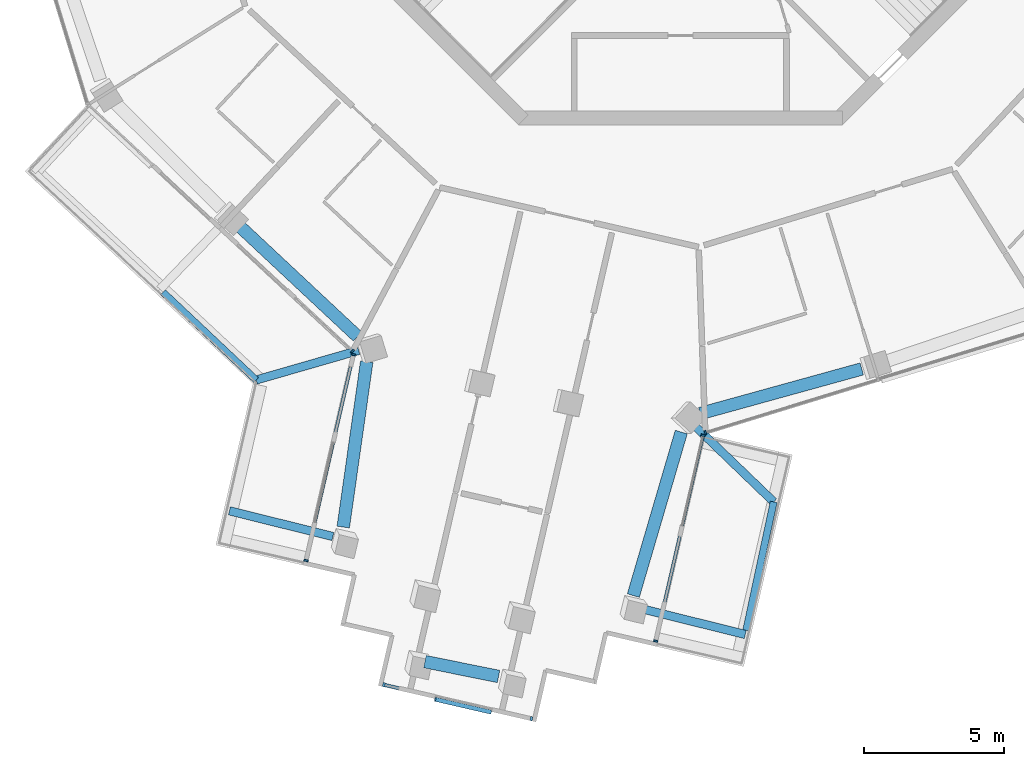
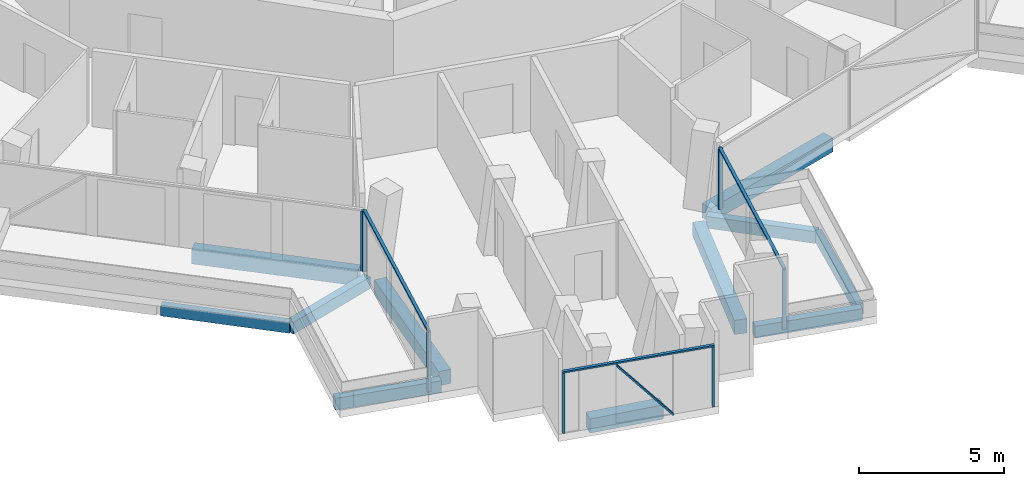
# One storey, part 2 of 21: 12 members, 11 beams, 5 elements without a shape of their own.
"""IFC4 building model written with IfcOpenShell, lengths in metres."""

from ifc_helpers import new_model, si_unit, direction, frame, origin, origin_2d, place, context, subcontext, project, spatial, rectangle, extrude, material, layer, layer_set, material_profile, profile_set, type_object, element, aggregate, save


model = new_model("IFC4")

# Units and contexts
model_context = context("Model", 3, precision=1e-05, world=origin(), true_north=direction((0.0, 1.0)))
body_context = subcontext(model_context, "Body", "Model", "MODEL_VIEW")
ifc_project = project(units=[si_unit("LENGTHUNIT", "METRE"), si_unit("AREAUNIT", "SQUARE_METRE"), si_unit("VOLUMEUNIT", "CUBIC_METRE"), si_unit("PLANEANGLEUNIT", "RADIAN"), si_unit("MASSUNIT", "GRAM", prefix="KILO")], contexts=[model_context])

# Site, building, storey
site_placement = place(None, origin())
site = spatial("IfcSite", under=ifc_project, at=site_placement, CompositionType="ELEMENT")
building_placement = place(site_placement, origin())
building = spatial("IfcBuilding", under=site, at=building_placement, Name="Verdalira Terraces Hotel", CompositionType="ELEMENT")
storey_placement = place(building_placement, frame((0.0, 0.0, 227.0)))
storey = spatial("IfcBuildingStorey", under=building, at=storey_placement, Name="L55", CompositionType="ELEMENT", Elevation=227.0)

# Beams
ifc_material_1 = material(Name="Concrete C40", Category="concrete")
ifc_material_profile_1 = material_profile(ifc_material_1, rectangle(XDim=0.300049, YDim=0.5, at=origin_2d()), Name="RC 300X500")
ifc_profile_set_1 = profile_set([ifc_material_profile_1], Name="Concrete C40")
beam_type_1 = type_object("IfcBeamType", Name="Balcony cantilever beam RC 300X500 C40", PredefinedType="BEAM", material=ifc_profile_set_1)
beam_1_placement = place(storey_placement, frame((-12.444336, -28.741455, -0.560059), z_axis=(-0.9706219, 0.240609907, 0.0), x_axis=(-0.240609907, -0.9706219, 0.0)))
element("IfcBeam", 1, at=beam_1_placement, inside=storey, type_object=beam_type_1, Name="Balcony cantilever beam R13-1", PredefinedType="BEAM", context=body_context, shape_type="SweptSolid", body=[
    extrude(rectangle(XDim=0.300049, YDim=0.5, at=origin_2d()), origin(), (0.0, 0.0, 1.0), 3.819336),
])
beam_2_placement = place(storey_placement, frame((-11.519531, -22.078613, -0.560059), z_axis=(-0.960870666, -0.276997405, 0.0), x_axis=(0.276997405, -0.960870666, 0.0)))
element("IfcBeam", 2, at=beam_2_placement, inside=storey, type_object=beam_type_1, Name="Balcony cantilever beam R13-4", PredefinedType="BEAM", context=body_context, shape_type="SweptSolid", body=[
    extrude(rectangle(XDim=0.300049, YDim=0.5, at=origin_2d()), origin(), (0.0, 0.0, 1.0), 3.823486),
])
beam_3_placement = place(storey_placement, frame((-1.422363, -31.321777, -0.560059), z_axis=(0.970627651, -0.240586704, 0.0), x_axis=(0.240586704, 0.970627651, 0.0)))
element("IfcBeam", 3, at=beam_3_placement, inside=storey, type_object=beam_type_1, Name="Balcony cantilever beam R24-1", PredefinedType="BEAM", context=body_context, shape_type="SweptSolid", body=[
    extrude(rectangle(XDim=0.300049, YDim=0.5, at=origin_2d()), origin(), (0.0, 0.0, 1.0), 3.862305),
])
beam_4_placement = place(storey_placement, frame((0.497559, -24.761963, -0.560059), z_axis=(0.720331652, -0.693629809, 0.0), x_axis=(0.693629809, 0.720331652, 0.0)))
element("IfcBeam", 4, at=beam_4_placement, inside=storey, type_object=beam_type_1, Name="Balcony cantilever beam R24-2", PredefinedType="BEAM", context=body_context, shape_type="SweptSolid", body=[
    extrude(rectangle(XDim=0.300049, YDim=0.5, at=origin_2d()), origin(), (0.0, 0.0, 1.0), 3.949951),
])
ifc_material_2 = material(Name="Concrete C40", Category="concrete")
ifc_material_profile_2 = material_profile(ifc_material_2, rectangle(XDim=0.25, YDim=0.449951, at=origin_2d()), Name="RC 250X450")
ifc_profile_set_2 = profile_set([ifc_material_profile_2], Name="Concrete C40")
beam_type_2 = type_object("IfcBeamType", Name="Balcony edge beam RC 250X450 C40", PredefinedType="BEAM", material=ifc_profile_set_2)
beam_5_placement = place(storey_placement, frame((-18.529297, -19.993408, -0.534912), z_axis=(0.727701043, -0.685894447, 0.0), x_axis=(0.685894447, 0.727701043, 0.0)))
element("IfcBeam", 5, at=beam_5_placement, inside=storey, type_object=beam_type_2, Name="Balcony edge beam R13-2", PredefinedType="BEAM", context=body_context, shape_type="SweptSolid", body=[
    extrude(rectangle(XDim=0.25, YDim=0.449951, at=origin_2d()), origin(), (0.0, 0.0, 1.0), 4.584229),
])
beam_6_placement = place(storey_placement, frame((2.35791, -32.104004, -0.534912), z_axis=(0.209256304, 0.977860828, 0.0), x_axis=(-0.977860828, 0.209256304, 0.0)))
element("IfcBeam", 6, at=beam_6_placement, inside=storey, type_object=beam_type_2, Name="Balcony edge beam R24-1", PredefinedType="BEAM", context=body_context, shape_type="SweptSolid", body=[
    extrude(rectangle(XDim=0.25, YDim=0.449951, at=origin_2d()), origin(), (0.0, 0.0, 1.0), 4.706543),
])

# Curtain wall, member
ifc_material_3 = material(Name="Clear glass", Category="glass")
ifc_layer_1 = layer(ifc_material_3, 0.14990234375)
ifc_layer_set_1 = layer_set([ifc_layer_1], Name="CW1 curtain wall")
curtain_wall_type_1 = type_object("IfcCurtainWallType", Name="CW1 curtain wall", PredefinedType="NOTDEFINED", material=ifc_layer_set_1)
curtain_wall_1_placement = place(storey_placement, origin())
curtain_wall_1 = element("IfcCurtainWall", 7, at=curtain_wall_1_placement, inside=storey, type_object=curtain_wall_type_1, Name="CW1 curtain wall L55 edge 13", PredefinedType="NOTDEFINED")
ifc_material_4 = material(Name="Terracotta frame", Category="masonry")
ifc_material_profile_3 = material_profile(ifc_material_4, rectangle(XDim=0.060059, YDim=0.149902, at=origin_2d()), Name="MU 60x150")
ifc_profile_set_3 = profile_set([ifc_material_profile_3], Name="Terracotta frame")
member_type_1 = type_object("IfcMemberType", Name="CW1 mullion 60x150", PredefinedType="MULLION", material=ifc_profile_set_3)
member_1_placement = place(storey_placement, frame((-11.745605, -22.107422, 0.0), z_axis=(0.0, 0.0, 1.0), x_axis=(0.731829648, -0.681487613, 0.0)))
member_1 = element("IfcMember", 8, at=member_1_placement, type_object=member_type_1, Name="CW1 mullion", PredefinedType="MULLION", context=body_context, shape_type="SweptSolid", body=[
    extrude(rectangle(XDim=0.060059, YDim=0.149902, at=origin_2d()), origin(), (0.0, 0.0, 1.0), 2.524902),
])
aggregate(curtain_wall_1, [member_1])

curtain_wall_2_placement = place(storey_placement, origin())
curtain_wall_2 = element("IfcCurtainWall", 9, at=curtain_wall_2_placement, inside=storey, type_object=curtain_wall_type_1, Name="CW1 curtain wall L55 edge 25", PredefinedType="NOTDEFINED")
member_2_placement = place(storey_placement, frame((0.900635, -25.017578, 0.0), z_axis=(0.0, 0.0, 1.0), x_axis=(0.956100409, 0.29303926, 0.0)))
member_2 = element("IfcMember", 10, at=member_2_placement, type_object=member_type_1, Name="CW1 mullion", PredefinedType="MULLION", context=body_context, shape_type="SweptSolid", body=[
    extrude(rectangle(XDim=0.060059, YDim=0.149902, at=origin_2d()), origin(), (0.0, 0.0, 1.0), 2.524902),
])
aggregate(curtain_wall_2, [member_2])

# Curtain wall, members
ifc_material_5 = material(Name="Clear glass", Category="glass")
ifc_layer_2 = layer(ifc_material_5, 0.14990234375)
ifc_layer_set_2 = layer_set([ifc_layer_2], Name="CW2 curtain wall")
curtain_wall_type_2 = type_object("IfcCurtainWallType", Name="CW2 curtain wall", PredefinedType="NOTDEFINED", material=ifc_layer_set_2)
curtain_wall_3_placement = place(storey_placement, origin())
curtain_wall_3 = element("IfcCurtainWall", 11, at=curtain_wall_3_placement, inside=storey, type_object=curtain_wall_type_2, Name="CW2 curtain wall L55 edge 14", PredefinedType="NOTDEFINED")
ifc_material_6 = material(Name="Terracotta frame", Category="masonry")
ifc_material_profile_4 = material_profile(ifc_material_6, rectangle(XDim=0.070068, YDim=0.149902, at=origin_2d()), Name="MU 70x150")
ifc_profile_set_4 = profile_set([ifc_material_profile_4], Name="Terracotta frame")
member_type_2 = type_object("IfcMemberType", Name="CW2 mullion 70x150", PredefinedType="MULLION", material=ifc_profile_set_4)
member_3_placement = place(storey_placement, frame((-11.709717, -22.233643, 0.0), z_axis=(0.0, 0.0, 1.0), x_axis=(-0.224270761, -0.974526873, 0.0)))
member_3 = element("IfcMember", 12, at=member_3_placement, type_object=member_type_2, Name="CW2 mullion", PredefinedType="MULLION", context=body_context, shape_type="SweptSolid", body=[
    extrude(rectangle(XDim=0.070068, YDim=0.149902, at=origin_2d()), origin(), (0.0, 0.0, 1.0), 2.524902),
])
member_4_placement = place(storey_placement, frame((-13.406006, -29.604492, 0.0), z_axis=(0.0, 0.0, 1.0), x_axis=(-0.224270761, -0.974526873, 0.0)))
member_4 = element("IfcMember", 13, at=member_4_placement, type_object=member_type_2, Name="CW2 mullion", PredefinedType="MULLION", context=body_context, shape_type="SweptSolid", body=[
    extrude(rectangle(XDim=0.070068, YDim=0.149902, at=origin_2d()), origin(), (0.0, 0.0, 1.0), 2.524902),
])

curtain_wall_4_placement = place(storey_placement, origin())
curtain_wall_4 = element("IfcCurtainWall", 14, at=curtain_wall_4_placement, inside=storey, type_object=curtain_wall_type_2, Name="CW2 curtain wall L55 edge 24", PredefinedType="NOTDEFINED")
member_5_placement = place(storey_placement, frame((-0.883301, -32.486328, 0.0), z_axis=(0.0, 0.0, 1.0), x_axis=(0.224270761, 0.974526873, 0.0)))
member_5 = element("IfcMember", 15, at=member_5_placement, type_object=member_type_2, Name="CW2 mullion", PredefinedType="MULLION", context=body_context, shape_type="SweptSolid", body=[
    extrude(rectangle(XDim=0.070068, YDim=0.149902, at=origin_2d()), origin(), (0.0, 0.0, 1.0), 2.524902),
])
member_6_placement = place(storey_placement, frame((0.812988, -25.115479, 0.0), z_axis=(0.0, 0.0, 1.0), x_axis=(0.224270761, 0.974526873, 0.0)))
member_6 = element("IfcMember", 16, at=member_6_placement, type_object=member_type_2, Name="CW2 mullion", PredefinedType="MULLION", context=body_context, shape_type="SweptSolid", body=[
    extrude(rectangle(XDim=0.070068, YDim=0.149902, at=origin_2d()), origin(), (0.0, 0.0, 1.0), 2.524902),
])

# Member
ifc_material_7 = material(Name="Terracotta frame", Category="masonry")
ifc_material_profile_5 = material_profile(ifc_material_7, rectangle(XDim=0.11499, YDim=0.064941, at=origin_2d()), Name="TR 65x115")
ifc_profile_set_5 = profile_set([ifc_material_profile_5], Name="Terracotta frame")
member_type_3 = type_object("IfcMemberType", Name="CW2 transom 65x115", PredefinedType="USERDEFINED", material=ifc_profile_set_5)
member_7_placement = place(storey_placement, frame((-11.70166, -22.199463, 2.557617), z_axis=(-0.224296533, -0.974520941, 0.0), x_axis=(0.974520941, -0.224296533, 0.0)))
member_7 = element("IfcMember", 17, at=member_7_placement, type_object=member_type_3, Name="CW2 transom", ObjectType="TRANSOM", PredefinedType="USERDEFINED", context=body_context, shape_type="SweptSolid", body=[
    extrude(rectangle(XDim=0.11499, YDim=0.064941, at=origin_2d()), origin(), (0.0, 0.0, 1.0), 7.633545),
])

aggregate(curtain_wall_3, [member_3, member_4, member_7])

member_8_placement = place(storey_placement, frame((-0.891113, -32.520508, 2.557617), z_axis=(0.224259169, 0.97452954, 0.0), x_axis=(-0.97452954, 0.224259169, 0.0)))
member_8 = element("IfcMember", 18, at=member_8_placement, type_object=member_type_3, Name="CW2 transom", ObjectType="TRANSOM", PredefinedType="USERDEFINED", context=body_context, shape_type="SweptSolid", body=[
    extrude(rectangle(XDim=0.11499, YDim=0.064941, at=origin_2d()), origin(), (0.0, 0.0, 1.0), 7.633545),
])

aggregate(curtain_wall_4, [member_5, member_6, member_8])

# Curtain wall, members
ifc_material_8 = material(Name="Clear glass", Category="glass")
ifc_layer_3 = layer(ifc_material_8, 0.14990234375)
ifc_layer_set_3 = layer_set([ifc_layer_3], Name="CW3 curtain wall")
curtain_wall_type_3 = type_object("IfcCurtainWallType", Name="CW3 curtain wall", PredefinedType="NOTDEFINED", material=ifc_layer_set_3)
curtain_wall_5_placement = place(storey_placement, origin())
curtain_wall_5 = element("IfcCurtainWall", 19, at=curtain_wall_5_placement, inside=storey, type_object=curtain_wall_type_3, Name="CW3 curtain wall L55 edge 19", PredefinedType="NOTDEFINED")
ifc_material_9 = material(Name="Terracotta frame", Category="masonry")
ifc_material_profile_6 = material_profile(ifc_material_9, rectangle(XDim=0.080078, YDim=0.149902, at=origin_2d()), Name="MU 80x150")
ifc_profile_set_6 = profile_set([ifc_material_profile_6], Name="Terracotta frame")
member_type_4 = type_object("IfcMemberType", Name="CW3 mullion 80x150", PredefinedType="MULLION", material=ifc_profile_set_6)
member_9_placement = place(storey_placement, frame((-10.617676, -34.052979, 0.0), z_axis=(0.0, 0.0, 1.0), x_axis=(0.974526873, -0.224270761, 0.0)))
member_9 = element("IfcMember", 20, at=member_9_placement, type_object=member_type_4, Name="CW3 mullion", PredefinedType="MULLION", context=body_context, shape_type="SweptSolid", body=[
    extrude(rectangle(XDim=0.080078, YDim=0.149902, at=origin_2d()), origin(), (0.0, 0.0, 1.0), 2.524902),
])
member_10_placement = place(storey_placement, frame((-5.335693, -35.268555, 0.0), z_axis=(0.0, 0.0, 1.0), x_axis=(0.974526873, -0.224270761, 0.0)))
member_10 = element("IfcMember", 21, at=member_10_placement, type_object=member_type_4, Name="CW3 mullion", PredefinedType="MULLION", context=body_context, shape_type="SweptSolid", body=[
    extrude(rectangle(XDim=0.080078, YDim=0.149902, at=origin_2d()), origin(), (0.0, 0.0, 1.0), 2.524902),
])
ifc_material_10 = material(Name="Terracotta frame", Category="masonry")
ifc_material_profile_7 = material_profile(ifc_material_10, rectangle(XDim=0.120117, YDim=0.064941, at=origin_2d()), Name="TR 65x120")
ifc_profile_set_7 = profile_set([ifc_material_profile_7], Name="Terracotta frame")
member_type_5 = type_object("IfcMemberType", Name="CW3 transom 65x120", PredefinedType="USERDEFINED", material=ifc_profile_set_7)
member_11_placement = place(storey_placement, frame((-10.656494, -34.044189, 2.557617), z_axis=(0.974530163, -0.224256463, 0.0), x_axis=(0.224256463, 0.974530163, 0.0)))
member_11 = element("IfcMember", 22, at=member_11_placement, type_object=member_type_5, Name="CW3 transom", ObjectType="TRANSOM", PredefinedType="USERDEFINED", context=body_context, shape_type="SweptSolid", body=[
    extrude(rectangle(XDim=0.120117, YDim=0.064941, at=origin_2d()), origin(), (0.0, 0.0, 1.0), 5.5),
])
ifc_material_11 = material(Name="Terracotta frame", Category="masonry")
ifc_material_profile_8 = material_profile(ifc_material_11, rectangle(XDim=0.149902, YDim=0.060059, at=origin_2d()), Name="GB 60x150")
ifc_profile_set_8 = profile_set([ifc_material_profile_8], Name="Terracotta frame")
member_type_6 = type_object("IfcMemberType", Name="Diagonal glazing bar 60x150", PredefinedType="USERDEFINED", material=ifc_profile_set_8)
member_12_placement = place(storey_placement, frame((-8.777832, -34.571777, 2.495361), z_axis=(0.620521251, -0.142838984, -0.771070945), x_axis=(0.22432533, 0.974514313, 0.0)))
member_12 = element("IfcMember", 23, at=member_12_placement, type_object=member_type_6, Name="Diagonal glazing bar", ObjectType="GLAZING BAR", PredefinedType="USERDEFINED", context=body_context, shape_type="SweptSolid", body=[
    extrude(rectangle(XDim=0.149902, YDim=0.060059, at=origin_2d()), origin(), (0.0, 0.0, 1.0), 3.197998),
])
aggregate(curtain_wall_5, [member_9, member_10, member_11, member_12])

# Beams
ifc_material_12 = material(Name="Concrete C40", Category="concrete")
ifc_material_profile_9 = material_profile(ifc_material_12, rectangle(XDim=0.449951, YDim=0.600098, at=origin_2d()), Name="RC 450X600")
ifc_profile_set_9 = profile_set([ifc_material_profile_9], Name="Concrete C40")
beam_type_3 = type_object("IfcBeamType", Name="Spandrel beam RC 450X600 C40", PredefinedType="SPANDREL", material=ifc_profile_set_9)
beam_7_placement = place(storey_placement, frame((-15.861572, -17.557861, -0.610107), z_axis=(0.730451439, -0.682964637, 0.0), x_axis=(0.682964637, 0.730451439, 0.0)))
element("IfcBeam", 24, at=beam_7_placement, inside=storey, type_object=beam_type_3, Name="Spandrel beam B07", PredefinedType="SPANDREL", context=body_context, shape_type="SweptSolid", body=[
    extrude(rectangle(XDim=0.449951, YDim=0.600098, at=origin_2d()), origin(), (0.0, 0.0, 1.0), 5.891846),
])
beam_8_placement = place(storey_placement, frame((-11.231445, -22.47998, -0.610107), z_axis=(-0.140541742, -0.990074754, 0.0), x_axis=(0.990074754, -0.140541742, 0.0)))
element("IfcBeam", 25, at=beam_8_placement, inside=storey, type_object=beam_type_3, Name="Spandrel beam B08", PredefinedType="SPANDREL", context=body_context, shape_type="SweptSolid", body=[
    extrude(rectangle(XDim=0.449951, YDim=0.600098, at=origin_2d()), origin(), (0.0, 0.0, 1.0), 5.984375),
])
beam_9_placement = place(storey_placement, frame((-9.148682, -33.223145, -0.610107), z_axis=(0.980268921, -0.197668516, 0.0), x_axis=(0.197668516, 0.980268921, 0.0)))
element("IfcBeam", 26, at=beam_9_placement, inside=storey, type_object=beam_type_3, Name="Spandrel beam B09", PredefinedType="SPANDREL", context=body_context, shape_type="SweptSolid", body=[
    extrude(rectangle(XDim=0.449951, YDim=0.600098, at=origin_2d()), origin(), (0.0, 0.0, 1.0), 2.691406),
])
beam_10_placement = place(storey_placement, frame((-1.684082, -30.857422, -0.610107), z_axis=(0.281399393, 0.959590736, 0.0), x_axis=(-0.959590736, 0.281399393, 0.0)))
element("IfcBeam", 27, at=beam_10_placement, inside=storey, type_object=beam_type_3, Name="Spandrel beam B10", PredefinedType="SPANDREL", context=body_context, shape_type="SweptSolid", body=[
    extrude(rectangle(XDim=0.449951, YDim=0.600098, at=origin_2d()), origin(), (0.0, 0.0, 1.0), 6.101807),
])
beam_11_placement = place(storey_placement, frame((0.712891, -24.338379, -0.610107), z_axis=(0.963921367, 0.26618715, 0.0), x_axis=(-0.26618715, 0.963921367, 0.0)))
element("IfcBeam", 28, at=beam_11_placement, inside=storey, type_object=beam_type_3, Name="Spandrel beam B11", PredefinedType="SPANDREL", context=body_context, shape_type="SweptSolid", body=[
    extrude(rectangle(XDim=0.449951, YDim=0.600098, at=origin_2d()), origin(), (0.0, 0.0, 1.0), 6.000244),
])

save(model, "model.ifc")
